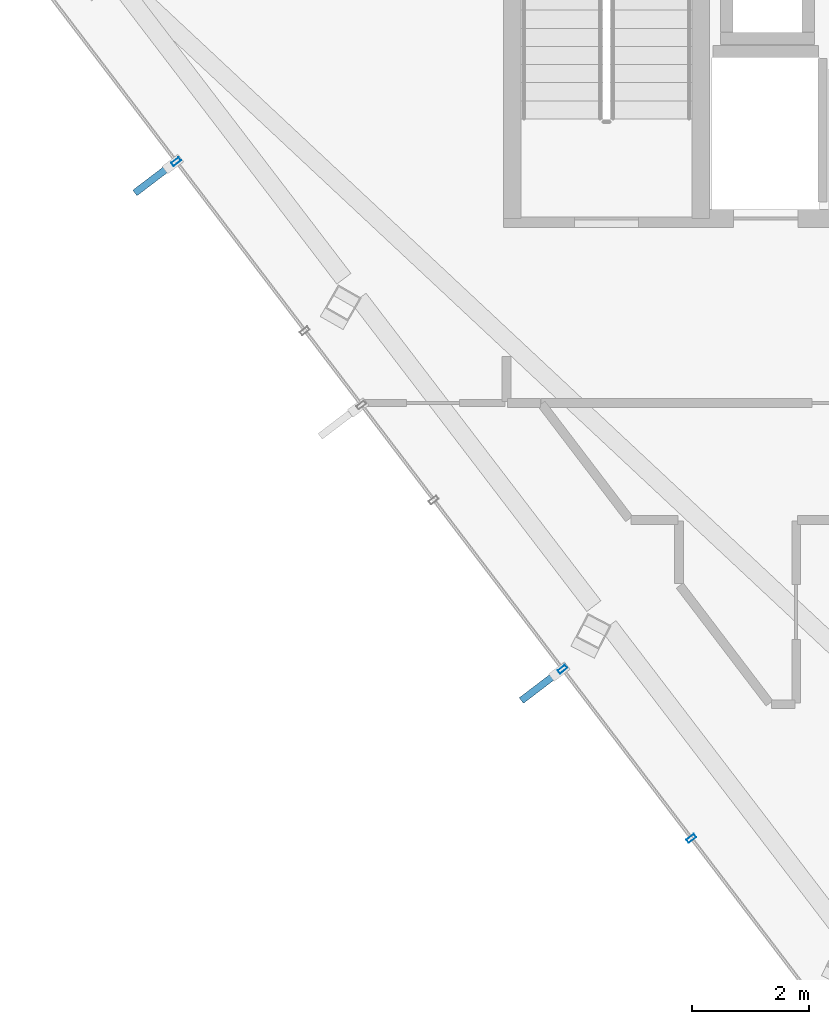
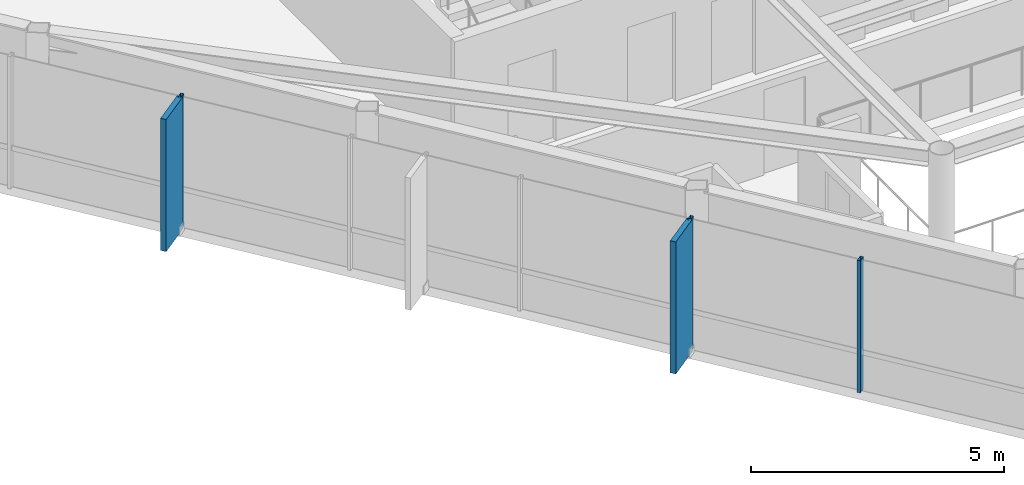
# One storey, part 2 of 21: 5 members, 1 element without a shape of its own.
"""IFC4 building model written with IfcOpenShell, lengths in metres."""

from ifc_helpers import new_model, si_unit, direction, frame, origin, origin_2d, place, context, subcontext, project, spatial, rectangle, hollow_rectangle, extrude, material, layer, layer_set, material_profile, profile_set, type_object, element, aggregate, save


model = new_model("IFC4")

# Units and contexts
model_context = context("Model", 3, precision=1e-05, world=origin(), true_north=direction((0.0, 1.0)))
body_context = subcontext(model_context, "Body", "Model", "MODEL_VIEW")
ifc_project = project(units=[si_unit("LENGTHUNIT", "METRE"), si_unit("AREAUNIT", "SQUARE_METRE"), si_unit("VOLUMEUNIT", "CUBIC_METRE"), si_unit("PLANEANGLEUNIT", "RADIAN"), si_unit("MASSUNIT", "GRAM", prefix="KILO")], contexts=[model_context])

# Site, building, storey
site_placement = place(None, origin())
site = spatial("IfcSite", under=ifc_project, at=site_placement, CompositionType="ELEMENT")
building_placement = place(site_placement, origin())
building = spatial("IfcBuilding", under=site, at=building_placement, Name="Zarrinselat Tower", CompositionType="ELEMENT")
storey_placement = place(building_placement, frame((0.0, 0.0, 285.60009765625)))
storey = spatial("IfcBuildingStorey", under=building, at=storey_placement, Name="L73", CompositionType="ELEMENT", Elevation=285.60009765625)

# Curtain wall, members
ifc_material_1 = material(Name="Extruded Aluminium Alloy EN AW-6063 T6", Category="aluminium")
ifc_layer = layer(ifc_material_1, 0.169921875)
ifc_layer_set = layer_set([ifc_layer], Name="Extruded Aluminium Alloy EN AW-6063 T6")
curtain_wall_type = type_object("IfcCurtainWallType", Name="CWS-RES", PredefinedType="NOTDEFINED", material=ifc_layer_set)
curtain_wall_placement = place(storey_placement, origin())
curtain_wall = element("IfcCurtainWall", 1, at=curtain_wall_placement, inside=storey, type_object=curtain_wall_type, Name="L73 Unitised Curtain Wall CW-L73-E03", PredefinedType="NOTDEFINED")
ifc_material_2 = material(Name="Extruded Aluminium Alloy EN AW-6063 T6", Category="aluminium")
ifc_material_profile_1 = material_profile(ifc_material_2, hollow_rectangle(XDim=0.070068359375, YDim=0.159912109375, WallThickness=0.00390625, at=origin_2d()), Name="RHS 160x70x4")
ifc_profile_set_1 = profile_set([ifc_material_profile_1], Name="Extruded Aluminium Alloy EN AW-6063 T6")
member_type_1 = type_object("IfcMemberType", Name="MEM-CW-MUL2", PredefinedType="MULLION", material=ifc_profile_set_1)
member_1_placement = place(storey_placement, frame((22.906005859375, 34.272216796875, 0.0), z_axis=(0.0, 0.0, 1.0), x_axis=(0.60576733126, -0.795641841772, 0.0)))
member_1 = element("IfcMember", 2, at=member_1_placement, type_object=member_type_1, Name="CW-L73-E03 Mullion 3", PredefinedType="MULLION", context=body_context, shape_type="SweptSolid", body=[
    extrude(hollow_rectangle(XDim=0.070068359375, YDim=0.159912109375, WallThickness=0.00390625, at=origin_2d()), origin(), (0.0, 0.0, 1.0), 3.179931640625),
])
member_2_placement = place(storey_placement, frame((29.50830078125, 25.600341796875, 0.0), z_axis=(0.0, 0.0, 1.0), x_axis=(0.60576733126, -0.795641841772, 0.0)))
member_2 = element("IfcMember", 3, at=member_2_placement, type_object=member_type_1, Name="CW-L73-E03 Mullion 7", PredefinedType="MULLION", context=body_context, shape_type="SweptSolid", body=[
    extrude(hollow_rectangle(XDim=0.070068359375, YDim=0.159912109375, WallThickness=0.00390625, at=origin_2d()), origin(), (0.0, 0.0, 1.0), 3.179931640625),
])
member_3_placement = place(storey_placement, frame((31.708984375, 22.709716796875, 0.0), z_axis=(0.0, 0.0, 1.0), x_axis=(0.60576733126, -0.795641841772, 0.0)))
member_3 = element("IfcMember", 4, at=member_3_placement, type_object=member_type_1, Name="CW-L73-E03 Mullion 8", PredefinedType="MULLION", context=body_context, shape_type="SweptSolid", body=[
    extrude(hollow_rectangle(XDim=0.070068359375, YDim=0.159912109375, WallThickness=0.00390625, at=origin_2d()), origin(), (0.0, 0.0, 1.0), 3.179931640625),
])
ifc_material_3 = material(Name="Honed Cream Travertine Stone", Category="masonry")
ifc_material_profile_2 = material_profile(ifc_material_3, rectangle(XDim=0.1201171875, YDim=0.85009765625, at=origin_2d()), Name="FIN 850x120")
ifc_profile_set_2 = profile_set([ifc_material_profile_2], Name="Honed Cream Travertine Stone")
member_type_2 = type_object("IfcMemberType", Name="MEM-STONE-FIN", PredefinedType="USERDEFINED", material=ifc_profile_set_2)
member_4_placement = place(storey_placement, frame((22.5400390625, 33.993408203125, 0.0), z_axis=(0.0, 0.0, 1.0), x_axis=(-0.60576733126, 0.795641841772, 0.0)))
member_4 = element("IfcMember", 5, at=member_4_placement, type_object=member_type_2, Name="L73 Stone Shading Fin CW-L73-E03-03", ObjectType="FIN", PredefinedType="USERDEFINED", context=body_context, shape_type="SweptSolid", body=[
    extrude(rectangle(XDim=0.1201171875, YDim=0.85009765625, at=origin_2d()), origin(), (0.0, 0.0, 1.0), 3.179931640625),
])
member_5_placement = place(storey_placement, frame((29.142333984375, 25.321533203125, 0.0), z_axis=(0.0, 0.0, 1.0), x_axis=(-0.60576733126, 0.795641841772, 0.0)))
member_5 = element("IfcMember", 6, at=member_5_placement, type_object=member_type_2, Name="L73 Stone Shading Fin CW-L73-E03-07", ObjectType="FIN", PredefinedType="USERDEFINED", context=body_context, shape_type="SweptSolid", body=[
    extrude(rectangle(XDim=0.1201171875, YDim=0.85009765625, at=origin_2d()), origin(), (0.0, 0.0, 1.0), 3.179931640625),
])
aggregate(curtain_wall, [member_1, member_4, member_2, member_5, member_3])

save(model, "model.ifc")
